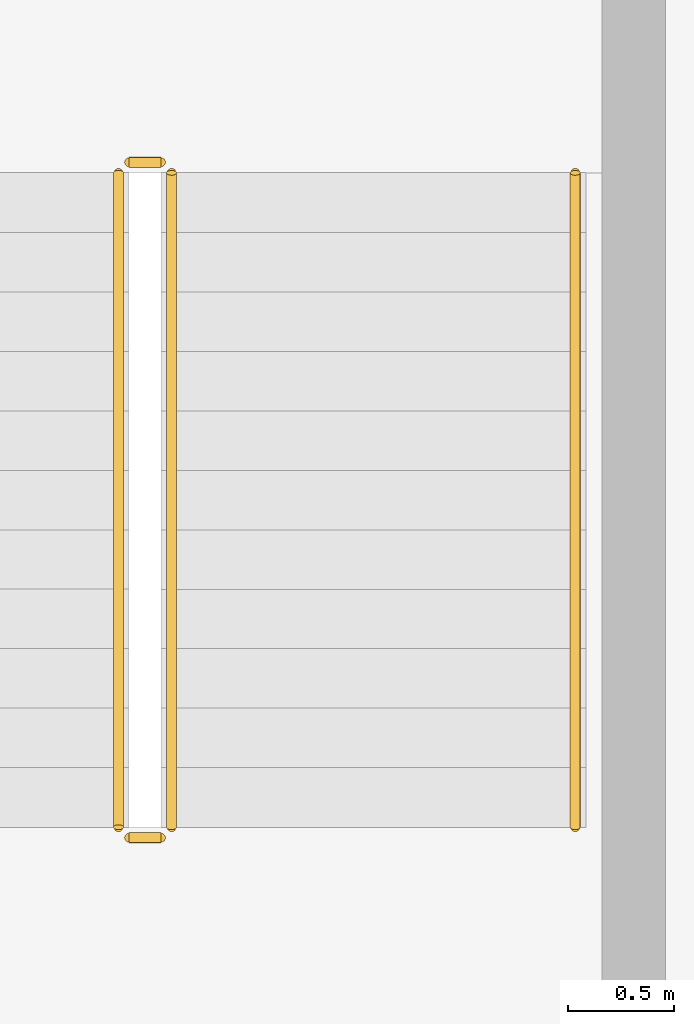
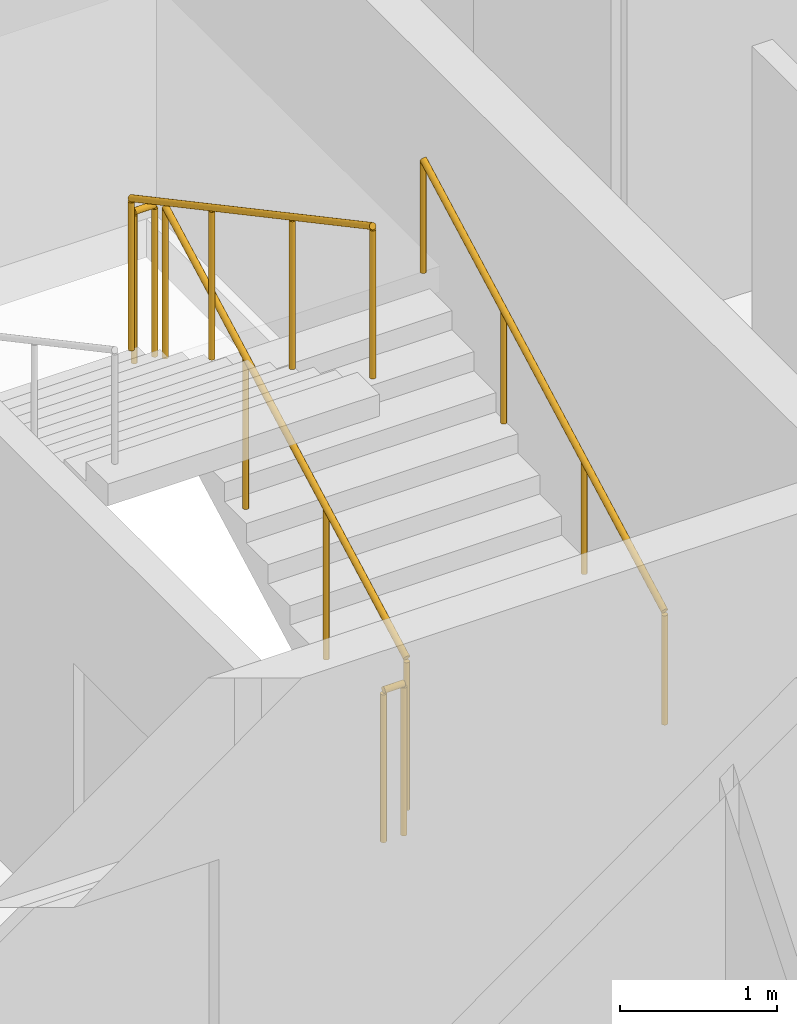
# One storey, part 15 of 15: 5 railings.
"""IFC4 building model written with IfcOpenShell, lengths in metres."""

from ifc_helpers import new_model, si_unit, direction, frame, origin, origin_2d, place, context, subcontext, project, spatial, circle, extrude, material, type_object, element, save


model = new_model("IFC4")

# Units and contexts
model_context = context("Model", 3, precision=1e-05, world=origin(), true_north=direction((0.0, 1.0)))
body_context = subcontext(model_context, "Body", "Model", "MODEL_VIEW")
ifc_project = project(units=[si_unit("LENGTHUNIT", "METRE"), si_unit("AREAUNIT", "SQUARE_METRE"), si_unit("VOLUMEUNIT", "CUBIC_METRE"), si_unit("PLANEANGLEUNIT", "RADIAN"), si_unit("MASSUNIT", "GRAM", prefix="KILO")], contexts=[model_context])

# Site, building, storey
site_placement = place(None, origin())
site = spatial("IfcSite", under=ifc_project, at=site_placement, CompositionType="ELEMENT")
building_placement = place(site_placement, origin())
building = spatial("IfcBuilding", under=site, at=building_placement, Name="Caravel Reach Hotel and Residences", CompositionType="ELEMENT")
storey_placement = place(building_placement, frame((0.0, 0.0, 70.800048828125)))
storey = spatial("IfcBuildingStorey", under=building, at=storey_placement, Name="L16", CompositionType="ELEMENT", Elevation=70.800048828125)

# Railings
ifc_material_1 = material(Name="Steel balustrade with glass infill", Category="steel")
railing_type_1 = type_object("IfcRailingType", Name="Guard 1200", PredefinedType="GUARDRAIL", material=ifc_material_1)
railing_1_placement = place(storey_placement, frame((42.824951171875, 24.64990234375, 0.14990234375)))
element("IfcRailing", 1, at=railing_1_placement, inside=storey, type_object=railing_type_1, Name="L16 ST-B stair guard 1", PredefinedType="GUARDRAIL", context=body_context, shape_type="SweptSolid", body=[
    extrude(circle(Radius=0.02392578125, at=origin_2d()), frame((0.0, 0.0, 1.17578125), z_axis=(0.0, 0.881467505477, 0.472244678941), x_axis=(-1.0, 0.0, 0.0)), (0.0, 0.0, 1.0), 3.494140625),
    extrude(circle(Radius=0.02099609375, at=origin_2d()), origin(), (0.0, 0.0, 1.0), 1.15185546875),
    extrude(circle(Radius=0.02099609375, at=origin_2d()), frame((0.0, 1.026611328125, 0.550048828125)), (0.0, 0.0, 1.0), 1.15185546875),
    extrude(circle(Radius=0.02099609375, at=origin_2d()), frame((0.0, 2.053466796875, 1.10009765625)), (0.0, 0.0, 1.0), 1.15185546875),
    extrude(circle(Radius=0.02099609375, at=origin_2d()), frame((0.0, 3.080078125, 1.650146484375)), (0.0, 0.0, 1.0), 1.15185546875),
])
railing_2_placement = place(storey_placement, frame((42.77490234375, 27.780029296875, 1.800048828125)))
element("IfcRailing", 2, at=railing_2_placement, inside=storey, type_object=railing_type_1, Name="L16 ST-B stair guard 2", PredefinedType="GUARDRAIL", context=body_context, shape_type="SweptSolid", body=[
    extrude(circle(Radius=0.02392578125, at=origin_2d()), frame((0.0, 0.0, 1.17578125), z_axis=(-1.0, 0.0, 0.0), x_axis=(0.0, -1.0, 0.0)), (0.0, 0.0, 1.0), 0.14990234375),
    extrude(circle(Radius=0.02099609375, at=origin_2d()), origin(), (0.0, 0.0, 1.0), 1.15185546875),
    extrude(circle(Radius=0.02099609375, at=origin_2d()), frame((-0.14990234375, 0.0, 0.0)), (0.0, 0.0, 1.0), 1.15185546875),
])
railing_3_placement = place(storey_placement, frame((42.574951171875, 27.72998046875, 1.949951171875)))
element("IfcRailing", 3, at=railing_3_placement, inside=storey, type_object=railing_type_1, Name="L16 ST-B stair guard 3", PredefinedType="GUARDRAIL", context=body_context, shape_type="SweptSolid", body=[
    extrude(circle(Radius=0.02392578125, at=origin_2d()), frame((0.0, 0.0, 1.17578125), z_axis=(0.0, -0.881496589024, 0.472190389079), x_axis=(1.0, 0.0, 0.0)), (0.0, 0.0, 1.0), 3.494140625),
    extrude(circle(Radius=0.02099609375, at=origin_2d()), origin(), (0.0, 0.0, 1.0), 1.15185546875),
    extrude(circle(Radius=0.02099609375, at=origin_2d()), frame((0.0, -1.026611328125, 0.550048828125)), (0.0, 0.0, 1.0), 1.15185546875),
    extrude(circle(Radius=0.02099609375, at=origin_2d()), frame((0.0, -2.053466796875, 1.099853515625)), (0.0, 0.0, 1.0), 1.15185546875),
    extrude(circle(Radius=0.02099609375, at=origin_2d()), frame((0.0, -3.080078125, 1.64990234375)), (0.0, 0.0, 1.0), 1.15185546875),
])
railing_4_placement = place(storey_placement, frame((42.77490234375, 24.60009765625, 0.0)))
element("IfcRailing", 4, at=railing_4_placement, inside=storey, type_object=railing_type_1, Name="L16 ST-B stair guard 4", PredefinedType="GUARDRAIL", context=body_context, shape_type="SweptSolid", body=[
    extrude(circle(Radius=0.02392578125, at=origin_2d()), frame((0.0, 0.0, 1.17578125), z_axis=(-1.0, 0.0, 0.0), x_axis=(0.0, -1.0, 0.0)), (0.0, 0.0, 1.0), 0.14990234375),
    extrude(circle(Radius=0.02099609375, at=origin_2d()), origin(), (0.0, 0.0, 1.0), 1.15185546875),
    extrude(circle(Radius=0.02099609375, at=origin_2d()), frame((-0.14990234375, 0.0, 0.0)), (0.0, 0.0, 1.0), 1.15185546875),
])
ifc_material_2 = material(Name="Stainless steel handrail", Category="steel")
railing_type_2 = type_object("IfcRailingType", Name="Handrail 900", PredefinedType="HANDRAIL", material=ifc_material_2)
railing_5_placement = place(storey_placement, frame((44.72509765625, 24.64990234375, 0.14990234375)))
element("IfcRailing", 5, at=railing_5_placement, inside=storey, type_object=railing_type_2, Name="L16 ST-B stair handrail 1", PredefinedType="HANDRAIL", context=body_context, shape_type="SweptSolid", body=[
    extrude(circle(Radius=0.02392578125, at=origin_2d()), frame((0.0, 0.0, 0.8759765625), z_axis=(0.0, 0.881467505477, 0.472244678941), x_axis=(-1.0, 0.0, 0.0)), (0.0, 0.0, 1.0), 3.494140625),
    extrude(circle(Radius=0.02099609375, at=origin_2d()), origin(), (0.0, 0.0, 1.0), 0.851806640625),
    extrude(circle(Radius=0.02099609375, at=origin_2d()), frame((0.0, 1.026611328125, 0.550048828125)), (0.0, 0.0, 1.0), 0.851806640625),
    extrude(circle(Radius=0.02099609375, at=origin_2d()), frame((0.0, 2.053466796875, 1.10009765625)), (0.0, 0.0, 1.0), 0.851806640625),
    extrude(circle(Radius=0.02099609375, at=origin_2d()), frame((0.0, 3.080078125, 1.650146484375)), (0.0, 0.0, 1.0), 0.851806640625),
])

save(model, "model.ifc")
